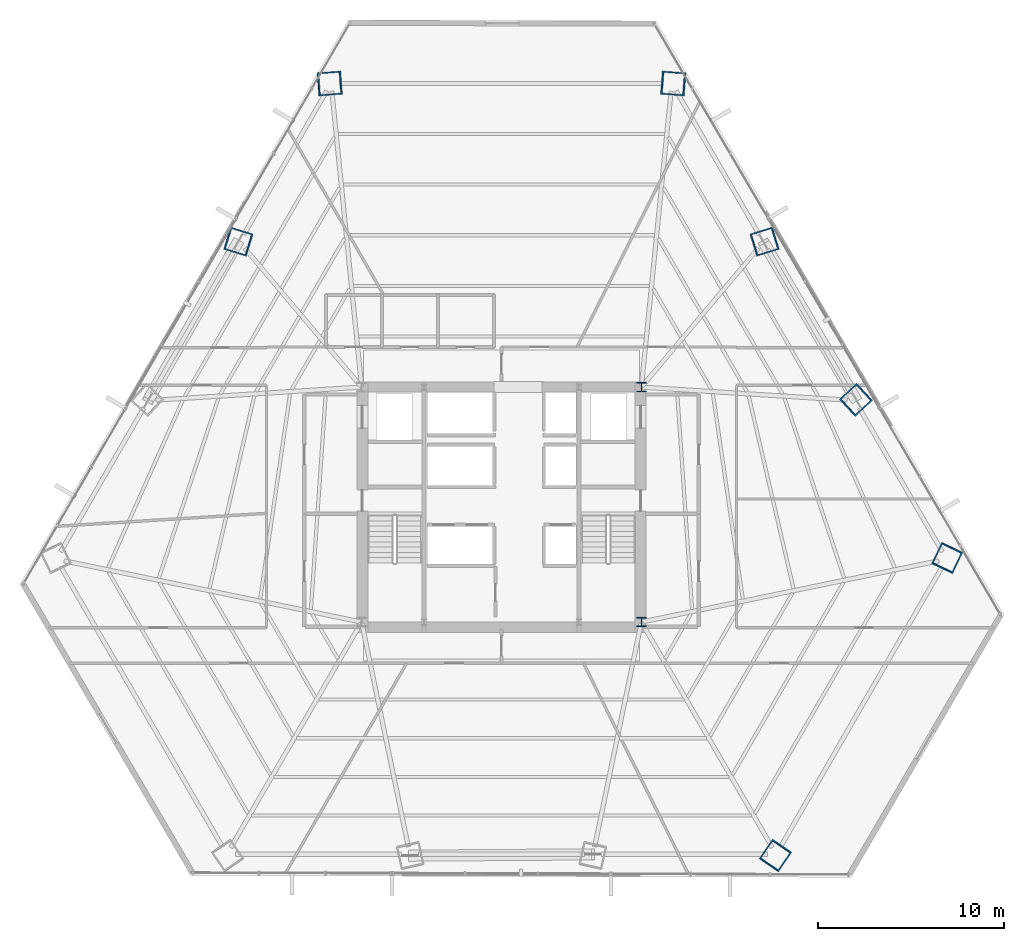
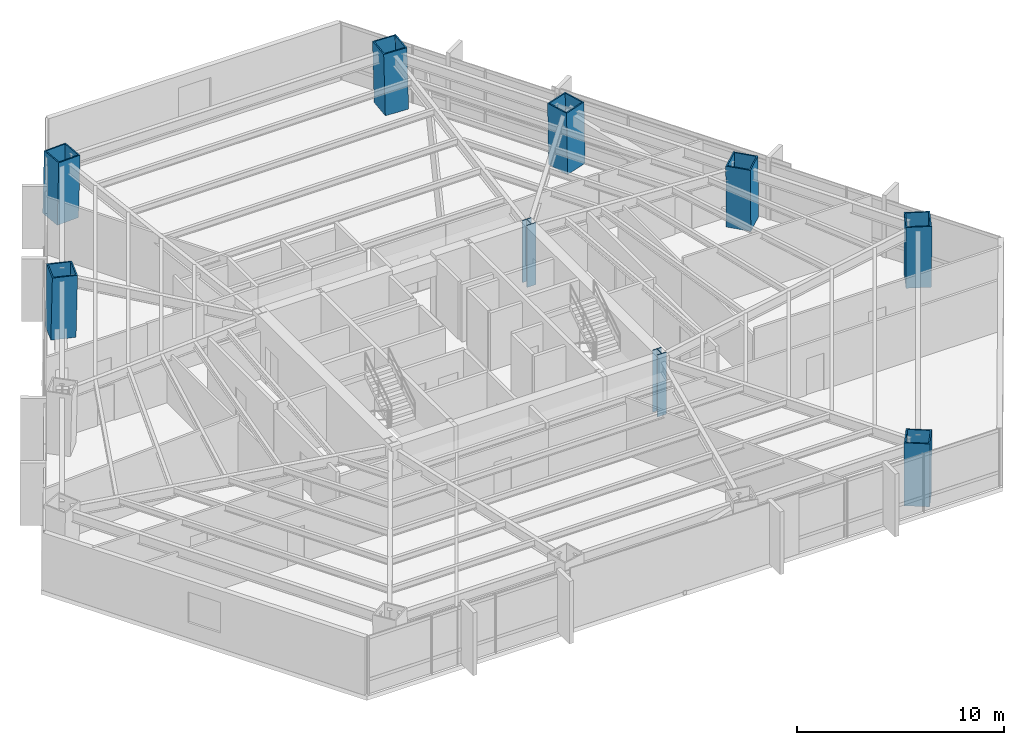
# One storey, part 2 of 29: 9 columns.
"""IFC4 building model written with IfcOpenShell, lengths in metres."""

from ifc_helpers import new_model, si_unit, direction, frame, origin, origin_2d, place, context, subcontext, project, spatial, hollow_rectangle, i_section, extrude, source, transform, mapped, material, material_profile, profile_set, type_object, type_shapes, element, save


model = new_model("IFC4")

# Units and contexts
model_context = context("Model", 3, precision=1e-05, world=origin(), true_north=direction((0.0, 1.0)))
body_context = subcontext(model_context, "Body", "Model", "MODEL_VIEW")
ifc_project = project(units=[si_unit("LENGTHUNIT", "METRE"), si_unit("AREAUNIT", "SQUARE_METRE"), si_unit("VOLUMEUNIT", "CUBIC_METRE"), si_unit("PLANEANGLEUNIT", "RADIAN"), si_unit("MASSUNIT", "GRAM", prefix="KILO")], contexts=[model_context])

# Site, building, storey
site_placement = place(None, origin())
site = spatial("IfcSite", under=ifc_project, at=site_placement, CompositionType="ELEMENT")
building_placement = place(site_placement, origin())
building = spatial("IfcBuilding", under=site, at=building_placement, Name="Caelisora Broadcast Tower", CompositionType="ELEMENT")
storey_placement = place(building_placement, frame((0.0, 0.0, 31.25)))
storey = spatial("IfcBuildingStorey", under=building, at=storey_placement, Name="L07", CompositionType="ELEMENT", Elevation=31.25)

# Columns
ifc_material_1 = material(Name="Steel Grade 350 (AS/NZS 3679.2)", Category="steel")
ifc_material_profile_1 = material_profile(ifc_material_1, i_section(OverallWidth=0.5, OverallDepth=0.5, WebThickness=0.028076171875, FlangeThickness=0.0400390625, at=origin_2d()), Name="Steel Grade 350 (AS/NZS 3679.2)")
ifc_profile_set_1 = profile_set([ifc_material_profile_1], Name="Steel Grade 350 (AS/NZS 3679.2)")
column_type_1 = type_object("IfcColumnType", Name="CC01", PredefinedType="COLUMN", material=ifc_profile_set_1)
shared_shape_1 = source(origin(), body_context, "Body", "SweptSolid", [
    extrude(i_section(OverallWidth=0.5, OverallDepth=0.5, WebThickness=0.028076171875, FlangeThickness=0.0400390625, at=origin_2d()), origin(), (0.0, 0.0, 1.0), 3.64990234375),
])
type_shapes(column_type_1, [shared_shape_1])
for number, where, z_axis, x_axis, name in (
    (1, (45.5, 17.39990234375, 0.0), (0.0, 0.0, 1.0), (1.0, 0.0, 0.0), "L07 column CC01"),
    (2, (45.5, 30.0, 0.0), (0.0, 0.0, 1.0), (1.0, 0.0, 0.0), "L07 column CC01"),
):
    element("IfcColumn", number, at=place(storey_placement, frame(where, z_axis=z_axis, x_axis=x_axis)), inside=storey, type_object=column_type_1, Name=name, PredefinedType="COLUMN", context=body_context, shape_type="MappedRepresentation", body=[
        mapped(shared_shape_1, transform((0.0, 0.0, 0.0), scale=1.0)),
    ])
ifc_material_2 = material(Name="Steel Grade 350 L15 (AS/NZS 3678)", Category="steel")
ifc_material_profile_2 = material_profile(ifc_material_2, hollow_rectangle(XDim=1.25, YDim=1.25, WallThickness=0.070068359375, at=origin_2d()), Name="Steel Grade 350 L15 (AS/NZS 3678)")
ifc_profile_set_2 = profile_set([ifc_material_profile_2], Name="Steel Grade 350 L15 (AS/NZS 3678)")
column_type_2 = type_object("IfcColumnType", Name="MC02", PredefinedType="COLUMN", material=ifc_profile_set_2)
shared_shape_2 = source(origin(), body_context, "Body", "SweptSolid", [
    extrude(hollow_rectangle(XDim=1.25, YDim=1.25, WallThickness=0.070068359375, at=origin_2d()), origin(), (0.0, 0.0, 1.0), 3.65087890625),
])
for number, where, z_axis, x_axis, name in (
    (3, (47.224365234375, 46.2783203125, 0.0), (-0.023872754168, 0.001805502416, 0.999713374808), (-0.075414875552, -0.997152243414, 0.0), "L07 column MC02"),
    (4, (28.775634765625, 46.2783203125, 0.0), (0.023872754168, 0.001805502416, 0.999713374808), (-0.075414875552, 0.997152243414, 0.0), "L07 column MC02"),
    (5, (52.681396484375, 4.872314453125, 0.0), (0.013507825582, 0.019793645407, 0.999712833893), (-0.825991119814, 0.563683129062, 0.0), "L07 column MC02"),
    (6, (61.90576171875, 20.849365234375, 0.0), (-0.010364917199, -0.021599150033, 0.999712981415), (0.901566609123, -0.432640323264, 0.0), "L07 column MC02"),
):
    element("IfcColumn", number, at=place(storey_placement, frame(where, z_axis=z_axis, x_axis=x_axis)), inside=storey, type_object=column_type_2, Name=name, PredefinedType="COLUMN", context=body_context, shape_type="MappedRepresentation", body=[
        mapped(shared_shape_2, transform((0.0, 0.0, 0.0), scale=1.0)),
    ])
shared_shape_3 = source(origin(), body_context, "Body", "SweptSolid", [
    extrude(hollow_rectangle(XDim=1.25, YDim=1.25, WallThickness=0.070068359375, at=origin_2d()), origin(), (0.0, 0.0, 1.0), 3.650634765625),
])
type_shapes(column_type_2, [shared_shape_2, shared_shape_3])
for number, where, z_axis, x_axis, name in (
    (7, (23.8818359375, 37.802001953125, 0.0), (0.019393993486, -0.006018825565, 0.999793802119), (0.296399214872, 0.955064136811, 0.0), "L07 column MC02"),
    (8, (57.011962890625, 29.32568359375, 0.0), (-0.014913313399, -0.013776424037, 0.999793880369), (0.678553674548, -0.734550822447, 0.0), "L07 column MC02"),
    (9, (52.1181640625, 37.802001953125, 0.0), (-0.019393993486, -0.006018825565, 0.999793802119), (0.296399214872, -0.955064136811, 0.0), "L07 column MC02"),
):
    element("IfcColumn", number, at=place(storey_placement, frame(where, z_axis=z_axis, x_axis=x_axis)), inside=storey, type_object=column_type_2, Name=name, PredefinedType="COLUMN", context=body_context, shape_type="MappedRepresentation", body=[
        mapped(shared_shape_3, transform((0.0, 0.0, 0.0), scale=1.0)),
    ])

save(model, "model.ifc")
